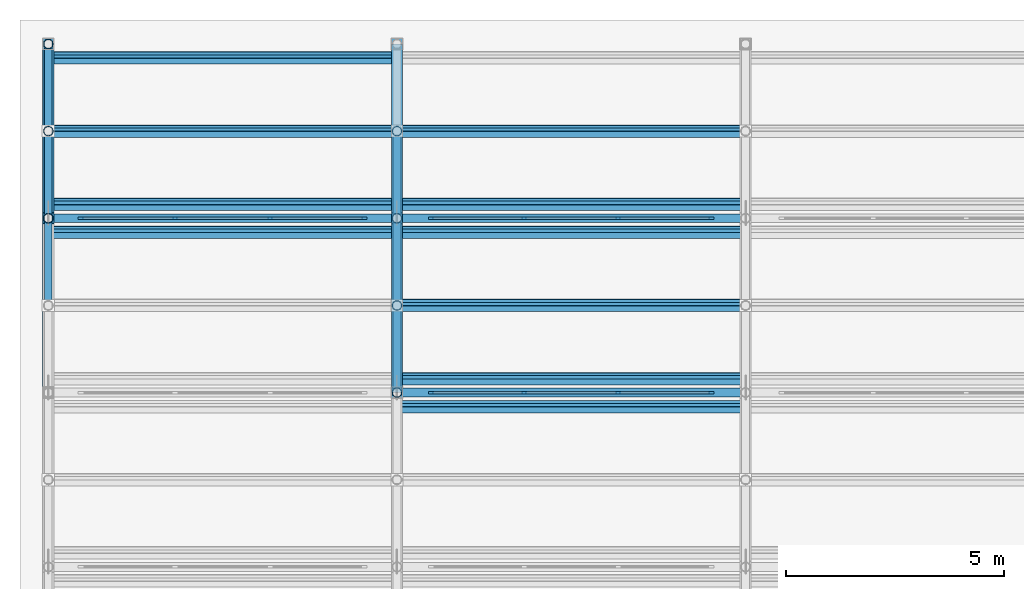
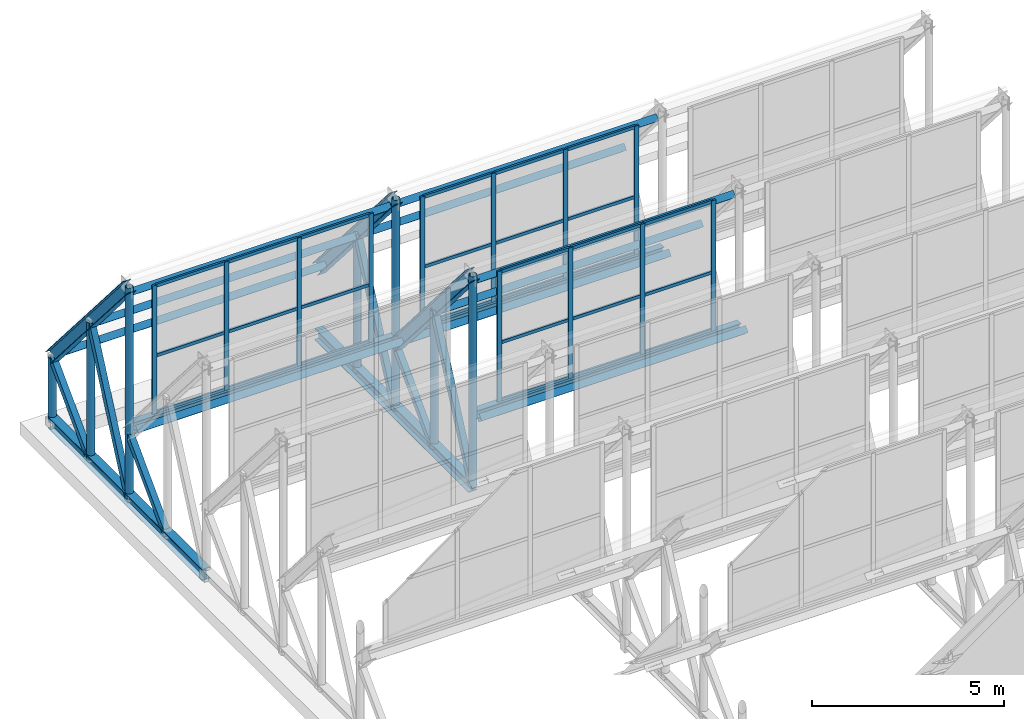
# One storey, part 26 of 43: 65 members, 5 beams, 3 elements without a shape of their own.
"""IFC4 building model written with IfcOpenShell, lengths in metres."""

from ifc_helpers import new_model, si_unit, direction, frame, origin, origin_2d, place, context, subcontext, project, spatial, rectangle, hollow_rectangle, hollow_circle, i_section, extrude, material, layer, layer_set, material_profile, profile_set, type_object, element, aggregate, save


model = new_model("IFC4")

# Units and contexts
model_context = context("Model", 3, precision=1e-05, world=origin(), true_north=direction((0.0, 1.0)))
body_context = subcontext(model_context, "Body", "Model", "MODEL_VIEW")
ifc_project = project(units=[si_unit("LENGTHUNIT", "METRE"), si_unit("AREAUNIT", "SQUARE_METRE"), si_unit("VOLUMEUNIT", "CUBIC_METRE"), si_unit("PLANEANGLEUNIT", "RADIAN"), si_unit("MASSUNIT", "GRAM", prefix="KILO")], contexts=[model_context])

# Site, building, storey
site_placement = place(None, origin())
site = spatial("IfcSite", under=ifc_project, at=site_placement, CompositionType="ELEMENT")
building_placement = place(site_placement, origin())
building = spatial("IfcBuilding", under=site, at=building_placement, Name="Qorikala Patio Media Centre", CompositionType="ELEMENT")
storey_placement = place(building_placement, frame((0.0, 0.0, 18.89990234375)))
storey = spatial("IfcBuildingStorey", under=building, at=storey_placement, Name="L04", CompositionType="ELEMENT", Elevation=18.89990234375)

# Members
ifc_material_1 = material(Name="Steel S355", Category="steel")
ifc_material_profile_1 = material_profile(ifc_material_1, hollow_rectangle(XDim=0.179931640625, YDim=0.179931640625, WallThickness=0.008056640625, at=origin_2d()), Name="HSS180X180X8")
ifc_profile_set_1 = profile_set([ifc_material_profile_1], Name="Steel S355")
member_type_1 = type_object("IfcMemberType", Name="BRACE-HSS180", PredefinedType="BRACE", material=ifc_profile_set_1)
member_1_placement = place(storey_placement, frame((3.0, 90.0, 0.35009765625), z_axis=(0.0, 0.698315330267, 0.715790262238), x_axis=(-1.0, 0.0, 0.0)))
element("IfcMember", 1, at=member_1_placement, inside=storey, type_object=member_type_1, Name="SAW-V4 Truss 1 Bay 5 Web Diagonal 2", PredefinedType="BRACE", context=body_context, shape_type="SweptSolid", body=[
    extrude(hollow_rectangle(XDim=0.179931640625, YDim=0.179931640625, WallThickness=0.008056640625, at=origin_2d()), origin(), (0.0, 0.0, 1.0), 2.864013671875),
])
member_2_placement = place(storey_placement, frame((3.0, 92.0, 0.35009765625), z_axis=(0.0, 0.415759760268, 0.909474475586), x_axis=(-1.0, 0.0, 0.0)))
element("IfcMember", 2, at=member_2_placement, inside=storey, type_object=member_type_1, Name="SAW-V4 Truss 1 Bay 6 Web Diagonal 1", PredefinedType="BRACE", context=body_context, shape_type="SweptSolid", body=[
    extrude(hollow_rectangle(XDim=0.179931640625, YDim=0.179931640625, WallThickness=0.008056640625, at=origin_2d()), origin(), (0.0, 0.0, 1.0), 4.810546875),
])
member_3_placement = place(storey_placement, frame((3.0, 94.0, 0.35009765625), z_axis=(0.0, 0.698315330267, 0.715790262238), x_axis=(-1.0, 0.0, 0.0)))
element("IfcMember", 3, at=member_3_placement, inside=storey, type_object=member_type_1, Name="SAW-V4 Truss 1 Bay 6 Web Diagonal 2", PredefinedType="BRACE", context=body_context, shape_type="SweptSolid", body=[
    extrude(hollow_rectangle(XDim=0.179931640625, YDim=0.179931640625, WallThickness=0.008056640625, at=origin_2d()), origin(), (0.0, 0.0, 1.0), 2.864013671875),
])
member_4_placement = place(storey_placement, frame((11.0, 88.0, 0.35009765625), z_axis=(0.0, 0.415759760268, 0.909474475586), x_axis=(-1.0, 0.0, 0.0)))
element("IfcMember", 4, at=member_4_placement, inside=storey, type_object=member_type_1, Name="SAW-V4 Truss 2 Bay 5 Web Diagonal 1", PredefinedType="BRACE", context=body_context, shape_type="SweptSolid", body=[
    extrude(hollow_rectangle(XDim=0.179931640625, YDim=0.179931640625, WallThickness=0.008056640625, at=origin_2d()), origin(), (0.0, 0.0, 1.0), 4.810546875),
])
member_5_placement = place(storey_placement, frame((11.0, 90.0, 0.35009765625), z_axis=(0.0, 0.698315330267, 0.715790262238), x_axis=(-1.0, 0.0, 0.0)))
element("IfcMember", 5, at=member_5_placement, inside=storey, type_object=member_type_1, Name="SAW-V4 Truss 2 Bay 5 Web Diagonal 2", PredefinedType="BRACE", context=body_context, shape_type="SweptSolid", body=[
    extrude(hollow_rectangle(XDim=0.179931640625, YDim=0.179931640625, WallThickness=0.008056640625, at=origin_2d()), origin(), (0.0, 0.0, 1.0), 2.864013671875),
])
member_6_placement = place(storey_placement, frame((11.0, 92.0, 0.35009765625), z_axis=(0.0, 0.415759760268, 0.909474475586), x_axis=(-1.0, 0.0, 0.0)))
element("IfcMember", 6, at=member_6_placement, inside=storey, type_object=member_type_1, Name="SAW-V4 Truss 2 Bay 6 Web Diagonal 1", PredefinedType="BRACE", context=body_context, shape_type="SweptSolid", body=[
    extrude(hollow_rectangle(XDim=0.179931640625, YDim=0.179931640625, WallThickness=0.008056640625, at=origin_2d()), origin(), (0.0, 0.0, 1.0), 4.810546875),
])
ifc_material_profile_2 = material_profile(ifc_material_1, i_section(OverallWidth=0.25390625, OverallDepth=0.35302734375, WebThickness=0.009521484375, FlangeThickness=0.016357421875, at=origin_2d()), Name="W360X91")
ifc_profile_set_2 = profile_set([ifc_material_profile_2], Name="Steel S355")
member_type_2 = type_object("IfcMemberType", Name="CHORD-W360X91", PredefinedType="CHORD", material=ifc_profile_set_2)
for number, where, z_axis, x_axis, name in (
    (7, (3.0, 92.0, 7.050048828125), (0.0, 0.652140853929, -0.758097821285), (-1.0, 0.0, 0.0), "SAW-V4 Truss 1 Bay 6 Sloped Top Chord"),
    (8, (11.0, 88.0, 7.050048828125), (0.0, 0.652140853929, -0.758097821285), (-1.0, 0.0, 0.0), "SAW-V4 Truss 2 Bay 5 Sloped Top Chord"),
    (9, (11.0, 92.0, 7.050048828125), (0.0, 0.652140853929, -0.758097821285), (-1.0, 0.0, 0.0), "SAW-V4 Truss 2 Bay 6 Sloped Top Chord"),
):
    element("IfcMember", number, at=place(storey_placement, frame(where, z_axis=z_axis, x_axis=x_axis)), inside=storey, type_object=member_type_2, Name=name, PredefinedType="CHORD", context=body_context, shape_type="SweptSolid", body=[
        extrude(i_section(OverallWidth=0.25390625, OverallDepth=0.35302734375, WebThickness=0.009521484375, FlangeThickness=0.016357421875, at=origin_2d()), origin(), (0.0, 0.0, 1.0), 6.133544921875),
    ])

# Curtain wall, members
ifc_material_2 = material(Name="Bronze Anodised Aluminium and Low-E Glass", Category="aluminium")
ifc_layer_1 = layer(ifc_material_2, 0.159912109375)
ifc_layer_set_1 = layer_set([ifc_layer_1], Name="Bronze Anodised Aluminium and Low-E Glass")
curtain_wall_type_1 = type_object("IfcCurtainWallType", Name="CW-SAW-648X414", PredefinedType="USERDEFINED", material=ifc_layer_set_1)
curtain_wall_1_placement = place(storey_placement, origin())
curtain_wall_1 = element("IfcCurtainWall", 10, at=curtain_wall_1_placement, inside=storey, type_object=curtain_wall_type_1, Name="L04 Sawtooth Glazing 155", ObjectType="SAWTOOTH GLAZING", PredefinedType="USERDEFINED")
ifc_material_3 = material(Name="Bronze Anodised Aluminium", Category="aluminium")
ifc_material_profile_3 = material_profile(ifc_material_3, rectangle(XDim=0.06005859375, YDim=0.1298828125, at=origin_2d()), Name="ALU MULLION 60x130")
ifc_profile_set_3 = profile_set([ifc_material_profile_3], Name="Bronze Anodised Aluminium")
member_type_3 = type_object("IfcMemberType", Name="CWM-60X130", PredefinedType="MULLION", material=ifc_profile_set_3)
member_7_placement = place(storey_placement, frame((11.7900390625, 88.0, 2.75), z_axis=(0.0, 0.0, 1.0), x_axis=(0.0, 1.0, 0.0)))
member_7 = element("IfcMember", 11, at=member_7_placement, type_object=member_type_3, Name="CWS648414 mullion 1", PredefinedType="MULLION", context=body_context, shape_type="SweptSolid", body=[
    extrude(rectangle(XDim=0.06005859375, YDim=0.1298828125, at=origin_2d()), origin(), (0.0, 0.0, 1.0), 4.14013671875),
])
member_8_placement = place(storey_placement, frame((13.919921875, 88.0, 2.75), z_axis=(0.0, 0.0, 1.0), x_axis=(0.0, 1.0, 0.0)))
member_8 = element("IfcMember", 12, at=member_8_placement, type_object=member_type_3, Name="CWS648414 mullion 2", PredefinedType="MULLION", context=body_context, shape_type="SweptSolid", body=[
    extrude(rectangle(XDim=0.06005859375, YDim=0.1298828125, at=origin_2d()), origin(), (0.0, 0.0, 1.0), 4.14013671875),
])
member_9_placement = place(storey_placement, frame((16.080078125, 88.0, 2.75), z_axis=(0.0, 0.0, 1.0), x_axis=(0.0, 1.0, 0.0)))
member_9 = element("IfcMember", 13, at=member_9_placement, type_object=member_type_3, Name="CWS648414 mullion 3", PredefinedType="MULLION", context=body_context, shape_type="SweptSolid", body=[
    extrude(rectangle(XDim=0.06005859375, YDim=0.1298828125, at=origin_2d()), origin(), (0.0, 0.0, 1.0), 4.14013671875),
])
member_10_placement = place(storey_placement, frame((18.2099609375, 88.0, 2.75), z_axis=(0.0, 0.0, 1.0), x_axis=(0.0, 1.0, 0.0)))
member_10 = element("IfcMember", 14, at=member_10_placement, type_object=member_type_3, Name="CWS648414 mullion 4", PredefinedType="MULLION", context=body_context, shape_type="SweptSolid", body=[
    extrude(rectangle(XDim=0.06005859375, YDim=0.1298828125, at=origin_2d()), origin(), (0.0, 0.0, 1.0), 4.14013671875),
])

ifc_layer_2 = layer(ifc_material_2, 0.159912109375)
ifc_layer_set_2 = layer_set([ifc_layer_2], Name="Bronze Anodised Aluminium and Low-E Glass")
curtain_wall_type_2 = type_object("IfcCurtainWallType", Name="CW-SAW-656X408", PredefinedType="USERDEFINED", material=ifc_layer_set_2)
curtain_wall_2_placement = place(storey_placement, origin())
curtain_wall_2 = element("IfcCurtainWall", 15, at=curtain_wall_2_placement, inside=storey, type_object=curtain_wall_type_2, Name="L04 Sawtooth Glazing 157", ObjectType="SAWTOOTH GLAZING", PredefinedType="USERDEFINED")
member_11_placement = place(storey_placement, frame((3.75, 92.0, 2.75), z_axis=(0.0, 0.0, 1.0), x_axis=(0.0, 1.0, 0.0)))
member_11 = element("IfcMember", 16, at=member_11_placement, type_object=member_type_3, Name="CWS656408 mullion 1", PredefinedType="MULLION", context=body_context, shape_type="SweptSolid", body=[
    extrude(rectangle(XDim=0.06005859375, YDim=0.1298828125, at=origin_2d()), origin(), (0.0, 0.0, 1.0), 4.080078125),
])
member_12_placement = place(storey_placement, frame((5.90673828125, 92.0, 2.75), z_axis=(0.0, 0.0, 1.0), x_axis=(0.0, 1.0, 0.0)))
member_12 = element("IfcMember", 17, at=member_12_placement, type_object=member_type_3, Name="CWS656408 mullion 2", PredefinedType="MULLION", context=body_context, shape_type="SweptSolid", body=[
    extrude(rectangle(XDim=0.06005859375, YDim=0.1298828125, at=origin_2d()), origin(), (0.0, 0.0, 1.0), 4.080078125),
])
member_13_placement = place(storey_placement, frame((8.09326171875, 92.0, 2.75), z_axis=(0.0, 0.0, 1.0), x_axis=(0.0, 1.0, 0.0)))
member_13 = element("IfcMember", 18, at=member_13_placement, type_object=member_type_3, Name="CWS656408 mullion 3", PredefinedType="MULLION", context=body_context, shape_type="SweptSolid", body=[
    extrude(rectangle(XDim=0.06005859375, YDim=0.1298828125, at=origin_2d()), origin(), (0.0, 0.0, 1.0), 4.080078125),
])
member_14_placement = place(storey_placement, frame((10.25, 92.0, 2.75), z_axis=(0.0, 0.0, 1.0), x_axis=(0.0, 1.0, 0.0)))
member_14 = element("IfcMember", 19, at=member_14_placement, type_object=member_type_3, Name="CWS656408 mullion 4", PredefinedType="MULLION", context=body_context, shape_type="SweptSolid", body=[
    extrude(rectangle(XDim=0.06005859375, YDim=0.1298828125, at=origin_2d()), origin(), (0.0, 0.0, 1.0), 4.080078125),
])

ifc_layer_3 = layer(ifc_material_2, 0.159912109375)
ifc_layer_set_3 = layer_set([ifc_layer_3], Name="Bronze Anodised Aluminium and Low-E Glass")
curtain_wall_type_3 = type_object("IfcCurtainWallType", Name="CW-SAW-648X408", PredefinedType="USERDEFINED", material=ifc_layer_set_3)
curtain_wall_3_placement = place(storey_placement, origin())
curtain_wall_3 = element("IfcCurtainWall", 20, at=curtain_wall_3_placement, inside=storey, type_object=curtain_wall_type_3, Name="L04 Sawtooth Glazing 158", ObjectType="SAWTOOTH GLAZING", PredefinedType="USERDEFINED")
member_15_placement = place(storey_placement, frame((11.7900390625, 92.0, 2.75), z_axis=(0.0, 0.0, 1.0), x_axis=(0.0, 1.0, 0.0)))
member_15 = element("IfcMember", 21, at=member_15_placement, type_object=member_type_3, Name="CWS648408 mullion 1", PredefinedType="MULLION", context=body_context, shape_type="SweptSolid", body=[
    extrude(rectangle(XDim=0.06005859375, YDim=0.1298828125, at=origin_2d()), origin(), (0.0, 0.0, 1.0), 4.080078125),
])
member_16_placement = place(storey_placement, frame((13.919921875, 92.0, 2.75), z_axis=(0.0, 0.0, 1.0), x_axis=(0.0, 1.0, 0.0)))
member_16 = element("IfcMember", 22, at=member_16_placement, type_object=member_type_3, Name="CWS648408 mullion 2", PredefinedType="MULLION", context=body_context, shape_type="SweptSolid", body=[
    extrude(rectangle(XDim=0.06005859375, YDim=0.1298828125, at=origin_2d()), origin(), (0.0, 0.0, 1.0), 4.080078125),
])
member_17_placement = place(storey_placement, frame((16.080078125, 92.0, 2.75), z_axis=(0.0, 0.0, 1.0), x_axis=(0.0, 1.0, 0.0)))
member_17 = element("IfcMember", 23, at=member_17_placement, type_object=member_type_3, Name="CWS648408 mullion 3", PredefinedType="MULLION", context=body_context, shape_type="SweptSolid", body=[
    extrude(rectangle(XDim=0.06005859375, YDim=0.1298828125, at=origin_2d()), origin(), (0.0, 0.0, 1.0), 4.080078125),
])
member_18_placement = place(storey_placement, frame((18.2099609375, 92.0, 2.75), z_axis=(0.0, 0.0, 1.0), x_axis=(0.0, 1.0, 0.0)))
member_18 = element("IfcMember", 24, at=member_18_placement, type_object=member_type_3, Name="CWS648408 mullion 4", PredefinedType="MULLION", context=body_context, shape_type="SweptSolid", body=[
    extrude(rectangle(XDim=0.06005859375, YDim=0.1298828125, at=origin_2d()), origin(), (0.0, 0.0, 1.0), 4.080078125),
])

# Member
ifc_material_profile_4 = material_profile(ifc_material_3, rectangle(XDim=0.06005859375, YDim=0.10009765625, at=origin_2d()), Name="ALU TRANSOM 60x100")
ifc_profile_set_4 = profile_set([ifc_material_profile_4], Name="Bronze Anodised Aluminium")
member_type_4 = type_object("IfcMemberType", Name="CWT-60X100", PredefinedType="USERDEFINED", material=ifc_profile_set_4)
member_19_placement = place(storey_placement, frame((11.820068359375, 88.0, 2.780029296875), z_axis=(1.0, 0.0, 0.0), x_axis=(0.0, 1.0, 0.0)))
member_19 = element("IfcMember", 25, at=member_19_placement, type_object=member_type_4, Name="CWS648414 transom 1.1", ObjectType="TRANSOM", PredefinedType="USERDEFINED", context=body_context, shape_type="SweptSolid", body=[
    extrude(rectangle(XDim=0.06005859375, YDim=0.10009765625, at=origin_2d()), origin(), (0.0, 0.0, 1.0), 2.06982421875),
])

member_20_placement = place(storey_placement, frame((11.820068359375, 88.0, 4.613037109375), z_axis=(1.0, 0.0, 0.0), x_axis=(0.0, 1.0, 0.0)))
member_20 = element("IfcMember", 26, at=member_20_placement, type_object=member_type_4, Name="CWS648414 transom 1.2", ObjectType="TRANSOM", PredefinedType="USERDEFINED", context=body_context, shape_type="SweptSolid", body=[
    extrude(rectangle(XDim=0.06005859375, YDim=0.10009765625, at=origin_2d()), origin(), (0.0, 0.0, 1.0), 2.06982421875),
])

member_21_placement = place(storey_placement, frame((11.820068359375, 88.0, 6.860107421875), z_axis=(1.0, 0.0, 0.0), x_axis=(0.0, 1.0, 0.0)))
member_21 = element("IfcMember", 27, at=member_21_placement, type_object=member_type_4, Name="CWS648414 transom 1.3", ObjectType="TRANSOM", PredefinedType="USERDEFINED", context=body_context, shape_type="SweptSolid", body=[
    extrude(rectangle(XDim=0.06005859375, YDim=0.10009765625, at=origin_2d()), origin(), (0.0, 0.0, 1.0), 2.06982421875),
])

member_22_placement = place(storey_placement, frame((13.949951171875, 88.0, 2.780029296875), z_axis=(1.0, 0.0, 0.0), x_axis=(0.0, 1.0, 0.0)))
member_22 = element("IfcMember", 28, at=member_22_placement, type_object=member_type_4, Name="CWS648414 transom 2.1", ObjectType="TRANSOM", PredefinedType="USERDEFINED", context=body_context, shape_type="SweptSolid", body=[
    extrude(rectangle(XDim=0.06005859375, YDim=0.10009765625, at=origin_2d()), origin(), (0.0, 0.0, 1.0), 2.10009765625),
])

member_23_placement = place(storey_placement, frame((13.949951171875, 88.0, 4.613037109375), z_axis=(1.0, 0.0, 0.0), x_axis=(0.0, 1.0, 0.0)))
member_23 = element("IfcMember", 29, at=member_23_placement, type_object=member_type_4, Name="CWS648414 transom 2.2", ObjectType="TRANSOM", PredefinedType="USERDEFINED", context=body_context, shape_type="SweptSolid", body=[
    extrude(rectangle(XDim=0.06005859375, YDim=0.10009765625, at=origin_2d()), origin(), (0.0, 0.0, 1.0), 2.10009765625),
])

member_24_placement = place(storey_placement, frame((13.949951171875, 88.0, 6.860107421875), z_axis=(1.0, 0.0, 0.0), x_axis=(0.0, 1.0, 0.0)))
member_24 = element("IfcMember", 30, at=member_24_placement, type_object=member_type_4, Name="CWS648414 transom 2.3", ObjectType="TRANSOM", PredefinedType="USERDEFINED", context=body_context, shape_type="SweptSolid", body=[
    extrude(rectangle(XDim=0.06005859375, YDim=0.10009765625, at=origin_2d()), origin(), (0.0, 0.0, 1.0), 2.10009765625),
])

member_25_placement = place(storey_placement, frame((16.110107421875, 88.0, 2.780029296875), z_axis=(1.0, 0.0, 0.0), x_axis=(0.0, 1.0, 0.0)))
member_25 = element("IfcMember", 31, at=member_25_placement, type_object=member_type_4, Name="CWS648414 transom 3.1", ObjectType="TRANSOM", PredefinedType="USERDEFINED", context=body_context, shape_type="SweptSolid", body=[
    extrude(rectangle(XDim=0.06005859375, YDim=0.10009765625, at=origin_2d()), origin(), (0.0, 0.0, 1.0), 2.06982421875),
])

member_26_placement = place(storey_placement, frame((16.110107421875, 88.0, 4.613037109375), z_axis=(1.0, 0.0, 0.0), x_axis=(0.0, 1.0, 0.0)))
member_26 = element("IfcMember", 32, at=member_26_placement, type_object=member_type_4, Name="CWS648414 transom 3.2", ObjectType="TRANSOM", PredefinedType="USERDEFINED", context=body_context, shape_type="SweptSolid", body=[
    extrude(rectangle(XDim=0.06005859375, YDim=0.10009765625, at=origin_2d()), origin(), (0.0, 0.0, 1.0), 2.06982421875),
])

member_27_placement = place(storey_placement, frame((16.110107421875, 88.0, 6.860107421875), z_axis=(1.0, 0.0, 0.0), x_axis=(0.0, 1.0, 0.0)))
member_27 = element("IfcMember", 33, at=member_27_placement, type_object=member_type_4, Name="CWS648414 transom 3.3", ObjectType="TRANSOM", PredefinedType="USERDEFINED", context=body_context, shape_type="SweptSolid", body=[
    extrude(rectangle(XDim=0.06005859375, YDim=0.10009765625, at=origin_2d()), origin(), (0.0, 0.0, 1.0), 2.06982421875),
])

aggregate(curtain_wall_1, [member_7, member_8, member_9, member_10, member_19, member_20, member_21, member_22, member_23, member_24, member_25, member_26, member_27])

member_28_placement = place(storey_placement, frame((3.780029296875, 92.0, 2.780029296875), z_axis=(1.0, 0.0, 0.0), x_axis=(0.0, 1.0, 0.0)))
member_28 = element("IfcMember", 34, at=member_28_placement, type_object=member_type_4, Name="CWS656408 transom 1.1", ObjectType="TRANSOM", PredefinedType="USERDEFINED", context=body_context, shape_type="SweptSolid", body=[
    extrude(rectangle(XDim=0.06005859375, YDim=0.10009765625, at=origin_2d()), origin(), (0.0, 0.0, 1.0), 2.0966796875),
])

member_29_placement = place(storey_placement, frame((3.780029296875, 92.0, 4.586181640625), z_axis=(1.0, 0.0, 0.0), x_axis=(0.0, 1.0, 0.0)))
member_29 = element("IfcMember", 35, at=member_29_placement, type_object=member_type_4, Name="CWS656408 transom 1.2", ObjectType="TRANSOM", PredefinedType="USERDEFINED", context=body_context, shape_type="SweptSolid", body=[
    extrude(rectangle(XDim=0.06005859375, YDim=0.10009765625, at=origin_2d()), origin(), (0.0, 0.0, 1.0), 2.0966796875),
])

member_30_placement = place(storey_placement, frame((3.780029296875, 92.0, 6.800048828125), z_axis=(1.0, 0.0, 0.0), x_axis=(0.0, 1.0, 0.0)))
member_30 = element("IfcMember", 36, at=member_30_placement, type_object=member_type_4, Name="CWS656408 transom 1.3", ObjectType="TRANSOM", PredefinedType="USERDEFINED", context=body_context, shape_type="SweptSolid", body=[
    extrude(rectangle(XDim=0.06005859375, YDim=0.10009765625, at=origin_2d()), origin(), (0.0, 0.0, 1.0), 2.0966796875),
])

member_31_placement = place(storey_placement, frame((5.936767578125, 92.0, 2.780029296875), z_axis=(1.0, 0.0, 0.0), x_axis=(0.0, 1.0, 0.0)))
member_31 = element("IfcMember", 37, at=member_31_placement, type_object=member_type_4, Name="CWS656408 transom 2.1", ObjectType="TRANSOM", PredefinedType="USERDEFINED", context=body_context, shape_type="SweptSolid", body=[
    extrude(rectangle(XDim=0.06005859375, YDim=0.10009765625, at=origin_2d()), origin(), (0.0, 0.0, 1.0), 2.12646484375),
])

member_32_placement = place(storey_placement, frame((5.936767578125, 92.0, 4.586181640625), z_axis=(1.0, 0.0, 0.0), x_axis=(0.0, 1.0, 0.0)))
member_32 = element("IfcMember", 38, at=member_32_placement, type_object=member_type_4, Name="CWS656408 transom 2.2", ObjectType="TRANSOM", PredefinedType="USERDEFINED", context=body_context, shape_type="SweptSolid", body=[
    extrude(rectangle(XDim=0.06005859375, YDim=0.10009765625, at=origin_2d()), origin(), (0.0, 0.0, 1.0), 2.12646484375),
])

member_33_placement = place(storey_placement, frame((5.936767578125, 92.0, 6.800048828125), z_axis=(1.0, 0.0, 0.0), x_axis=(0.0, 1.0, 0.0)))
member_33 = element("IfcMember", 39, at=member_33_placement, type_object=member_type_4, Name="CWS656408 transom 2.3", ObjectType="TRANSOM", PredefinedType="USERDEFINED", context=body_context, shape_type="SweptSolid", body=[
    extrude(rectangle(XDim=0.06005859375, YDim=0.10009765625, at=origin_2d()), origin(), (0.0, 0.0, 1.0), 2.12646484375),
])

member_34_placement = place(storey_placement, frame((8.123291015625, 92.0, 2.780029296875), z_axis=(1.0, 0.0, 0.0), x_axis=(0.0, 1.0, 0.0)))
member_34 = element("IfcMember", 40, at=member_34_placement, type_object=member_type_4, Name="CWS656408 transom 3.1", ObjectType="TRANSOM", PredefinedType="USERDEFINED", context=body_context, shape_type="SweptSolid", body=[
    extrude(rectangle(XDim=0.06005859375, YDim=0.10009765625, at=origin_2d()), origin(), (0.0, 0.0, 1.0), 2.0966796875),
])

member_35_placement = place(storey_placement, frame((8.123291015625, 92.0, 4.586181640625), z_axis=(1.0, 0.0, 0.0), x_axis=(0.0, 1.0, 0.0)))
member_35 = element("IfcMember", 41, at=member_35_placement, type_object=member_type_4, Name="CWS656408 transom 3.2", ObjectType="TRANSOM", PredefinedType="USERDEFINED", context=body_context, shape_type="SweptSolid", body=[
    extrude(rectangle(XDim=0.06005859375, YDim=0.10009765625, at=origin_2d()), origin(), (0.0, 0.0, 1.0), 2.0966796875),
])

member_36_placement = place(storey_placement, frame((8.123291015625, 92.0, 6.800048828125), z_axis=(1.0, 0.0, 0.0), x_axis=(0.0, 1.0, 0.0)))
member_36 = element("IfcMember", 42, at=member_36_placement, type_object=member_type_4, Name="CWS656408 transom 3.3", ObjectType="TRANSOM", PredefinedType="USERDEFINED", context=body_context, shape_type="SweptSolid", body=[
    extrude(rectangle(XDim=0.06005859375, YDim=0.10009765625, at=origin_2d()), origin(), (0.0, 0.0, 1.0), 2.0966796875),
])

aggregate(curtain_wall_2, [member_11, member_12, member_13, member_14, member_28, member_29, member_30, member_31, member_32, member_33, member_34, member_35, member_36])

member_37_placement = place(storey_placement, frame((11.820068359375, 92.0, 2.780029296875), z_axis=(1.0, 0.0, 0.0), x_axis=(0.0, 1.0, 0.0)))
member_37 = element("IfcMember", 43, at=member_37_placement, type_object=member_type_4, Name="CWS648408 transom 1.1", ObjectType="TRANSOM", PredefinedType="USERDEFINED", context=body_context, shape_type="SweptSolid", body=[
    extrude(rectangle(XDim=0.06005859375, YDim=0.10009765625, at=origin_2d()), origin(), (0.0, 0.0, 1.0), 2.06982421875),
])

member_38_placement = place(storey_placement, frame((11.820068359375, 92.0, 4.586181640625), z_axis=(1.0, 0.0, 0.0), x_axis=(0.0, 1.0, 0.0)))
member_38 = element("IfcMember", 44, at=member_38_placement, type_object=member_type_4, Name="CWS648408 transom 1.2", ObjectType="TRANSOM", PredefinedType="USERDEFINED", context=body_context, shape_type="SweptSolid", body=[
    extrude(rectangle(XDim=0.06005859375, YDim=0.10009765625, at=origin_2d()), origin(), (0.0, 0.0, 1.0), 2.06982421875),
])

member_39_placement = place(storey_placement, frame((11.820068359375, 92.0, 6.800048828125), z_axis=(1.0, 0.0, 0.0), x_axis=(0.0, 1.0, 0.0)))
member_39 = element("IfcMember", 45, at=member_39_placement, type_object=member_type_4, Name="CWS648408 transom 1.3", ObjectType="TRANSOM", PredefinedType="USERDEFINED", context=body_context, shape_type="SweptSolid", body=[
    extrude(rectangle(XDim=0.06005859375, YDim=0.10009765625, at=origin_2d()), origin(), (0.0, 0.0, 1.0), 2.06982421875),
])

member_40_placement = place(storey_placement, frame((13.949951171875, 92.0, 2.780029296875), z_axis=(1.0, 0.0, 0.0), x_axis=(0.0, 1.0, 0.0)))
member_40 = element("IfcMember", 46, at=member_40_placement, type_object=member_type_4, Name="CWS648408 transom 2.1", ObjectType="TRANSOM", PredefinedType="USERDEFINED", context=body_context, shape_type="SweptSolid", body=[
    extrude(rectangle(XDim=0.06005859375, YDim=0.10009765625, at=origin_2d()), origin(), (0.0, 0.0, 1.0), 2.10009765625),
])

member_41_placement = place(storey_placement, frame((13.949951171875, 92.0, 4.586181640625), z_axis=(1.0, 0.0, 0.0), x_axis=(0.0, 1.0, 0.0)))
member_41 = element("IfcMember", 47, at=member_41_placement, type_object=member_type_4, Name="CWS648408 transom 2.2", ObjectType="TRANSOM", PredefinedType="USERDEFINED", context=body_context, shape_type="SweptSolid", body=[
    extrude(rectangle(XDim=0.06005859375, YDim=0.10009765625, at=origin_2d()), origin(), (0.0, 0.0, 1.0), 2.10009765625),
])

member_42_placement = place(storey_placement, frame((13.949951171875, 92.0, 6.800048828125), z_axis=(1.0, 0.0, 0.0), x_axis=(0.0, 1.0, 0.0)))
member_42 = element("IfcMember", 48, at=member_42_placement, type_object=member_type_4, Name="CWS648408 transom 2.3", ObjectType="TRANSOM", PredefinedType="USERDEFINED", context=body_context, shape_type="SweptSolid", body=[
    extrude(rectangle(XDim=0.06005859375, YDim=0.10009765625, at=origin_2d()), origin(), (0.0, 0.0, 1.0), 2.10009765625),
])

member_43_placement = place(storey_placement, frame((16.110107421875, 92.0, 2.780029296875), z_axis=(1.0, 0.0, 0.0), x_axis=(0.0, 1.0, 0.0)))
member_43 = element("IfcMember", 49, at=member_43_placement, type_object=member_type_4, Name="CWS648408 transom 3.1", ObjectType="TRANSOM", PredefinedType="USERDEFINED", context=body_context, shape_type="SweptSolid", body=[
    extrude(rectangle(XDim=0.06005859375, YDim=0.10009765625, at=origin_2d()), origin(), (0.0, 0.0, 1.0), 2.06982421875),
])

member_44_placement = place(storey_placement, frame((16.110107421875, 92.0, 4.586181640625), z_axis=(1.0, 0.0, 0.0), x_axis=(0.0, 1.0, 0.0)))
member_44 = element("IfcMember", 50, at=member_44_placement, type_object=member_type_4, Name="CWS648408 transom 3.2", ObjectType="TRANSOM", PredefinedType="USERDEFINED", context=body_context, shape_type="SweptSolid", body=[
    extrude(rectangle(XDim=0.06005859375, YDim=0.10009765625, at=origin_2d()), origin(), (0.0, 0.0, 1.0), 2.06982421875),
])

member_45_placement = place(storey_placement, frame((16.110107421875, 92.0, 6.800048828125), z_axis=(1.0, 0.0, 0.0), x_axis=(0.0, 1.0, 0.0)))
member_45 = element("IfcMember", 51, at=member_45_placement, type_object=member_type_4, Name="CWS648408 transom 3.3", ObjectType="TRANSOM", PredefinedType="USERDEFINED", context=body_context, shape_type="SweptSolid", body=[
    extrude(rectangle(XDim=0.06005859375, YDim=0.10009765625, at=origin_2d()), origin(), (0.0, 0.0, 1.0), 2.06982421875),
])

aggregate(curtain_wall_3, [member_15, member_16, member_17, member_18, member_37, member_38, member_39, member_40, member_41, member_42, member_43, member_44, member_45])

# Members
ifc_material_profile_5 = material_profile(ifc_material_1, i_section(OverallWidth=0.202880859375, OverallDepth=0.202880859375, WebThickness=0.007080078125, FlangeThickness=0.010986328125, at=origin_2d()), Name="W200X46")
ifc_profile_set_5 = profile_set([ifc_material_profile_5], Name="Steel S355")
member_type_5 = type_object("IfcMemberType", Name="PURLIN-W200X46", PredefinedType="PURLIN", material=ifc_profile_set_5)
for number, where, z_axis, x_axis, name in (
    (52, (11.0, 87.679931640625, 2.6904296875), (1.0, 0.0, 0.0), (0.0, 0.652138098758, 0.758100191366), "SAW-V4 Bay 4 Roof Purlin"),
    (53, (11.0, 88.320068359375, 6.596435546875), (1.0, 0.0, 0.0), (0.0, 0.652138098758, 0.758100191366), "SAW-V4 Bay 5 Roof Purlin"),
    (54, (11.0, 90.0, 4.643310546875), (1.0, 0.0, 0.0), (0.0, 0.652138098758, 0.758100191366), "SAW-V4 Bay 5 Roof Purlin"),
    (55, (3.0, 91.679931640625, 2.6904296875), (1.0, 0.0, 0.0), (0.0, 0.652138098758, 0.758100191366), "SAW-V4 Bay 5 Roof Purlin"),
    (56, (11.0, 91.679931640625, 2.6904296875), (1.0, 0.0, 0.0), (0.0, 0.652138098758, 0.758100191366), "SAW-V4 Bay 5 Roof Purlin"),
    (57, (3.0, 92.320068359375, 6.596435546875), (1.0, 0.0, 0.0), (0.0, 0.652138098758, 0.758100191366), "SAW-V4 Bay 6 Roof Purlin"),
    (58, (11.0, 92.320068359375, 6.596435546875), (1.0, 0.0, 0.0), (0.0, 0.652138098758, 0.758100191366), "SAW-V4 Bay 6 Roof Purlin"),
    (59, (3.0, 94.0, 4.643310546875), (1.0, 0.0, 0.0), (0.0, 0.652138098758, 0.758100191366), "SAW-V4 Bay 6 Roof Purlin"),
    (60, (11.0, 94.0, 4.643310546875), (1.0, 0.0, 0.0), (0.0, 0.652138098758, 0.758100191366), "SAW-V4 Bay 6 Roof Purlin"),
    (61, (3.0, 95.679931640625, 2.6904296875), (1.0, 0.0, 0.0), (0.0, 0.652138098758, 0.758100191366), "SAW-V4 Bay 6 Roof Purlin"),
):
    element("IfcMember", number, at=place(storey_placement, frame(where, z_axis=z_axis, x_axis=x_axis)), inside=storey, type_object=member_type_5, Name=name, PredefinedType="PURLIN", context=body_context, shape_type="SweptSolid", body=[
        extrude(i_section(OverallWidth=0.202880859375, OverallDepth=0.202880859375, WebThickness=0.007080078125, FlangeThickness=0.010986328125, at=origin_2d()), origin(), (0.0, 0.0, 1.0), 8.0),
    ])

# Beams
ifc_material_profile_6 = material_profile(ifc_material_1, i_section(OverallWidth=0.202880859375, OverallDepth=0.251953125, WebThickness=0.008056640625, FlangeThickness=0.013427734375, at=origin_2d()), Name="W250X58")
ifc_profile_set_6 = profile_set([ifc_material_profile_6], Name="Steel S355")
beam_type_1 = type_object("IfcBeamType", Name="SBM-W250X58", PredefinedType="BEAM", material=ifc_profile_set_6)
for number, where, z_axis, x_axis, name in (
    (62, (11.0, 88.0, 2.625), (1.0, 0.0, 0.0), (0.0, 1.0, 0.0), "Sawtooth V4 Clerestory Sill Beam 5.2"),
    (63, (3.0, 92.0, 2.625), (1.0, 0.0, 0.0), (0.0, 1.0, 0.0), "Sawtooth V4 Clerestory Sill Beam 6.1"),
    (64, (11.0, 92.0, 2.625), (1.0, 0.0, 0.0), (0.0, 1.0, 0.0), "Sawtooth V4 Clerestory Sill Beam 6.2"),
):
    element("IfcBeam", number, at=place(storey_placement, frame(where, z_axis=z_axis, x_axis=x_axis)), inside=storey, type_object=beam_type_1, Name=name, PredefinedType="BEAM", context=body_context, shape_type="SweptSolid", body=[
        extrude(i_section(OverallWidth=0.202880859375, OverallDepth=0.251953125, WebThickness=0.008056640625, FlangeThickness=0.013427734375, at=origin_2d()), origin(), (0.0, 0.0, 1.0), 8.0),
    ])
ifc_material_profile_7 = material_profile(ifc_material_1, i_section(OverallWidth=0.257080078125, OverallDepth=0.363037109375, WebThickness=0.012939453125, FlangeThickness=0.021728515625, at=origin_2d()), Name="W360X122")
ifc_profile_set_7 = profile_set([ifc_material_profile_7], Name="Steel S355")
beam_type_2 = type_object("IfcBeamType", Name="SBM-W360X122", PredefinedType="BEAM", material=ifc_profile_set_7)
for number, where, z_axis, x_axis, name in (
    (65, (3.0, 88.0, 0.35009765625), (0.0, 1.0, 0.0), (-1.0, 0.0, 0.0), "SAW-V4 Longitudinal Truss Tie Girder X=3"),
    (66, (11.0, 88.0, 0.35009765625), (0.0, 1.0, 0.0), (-1.0, 0.0, 0.0), "SAW-V4 Longitudinal Truss Tie Girder X=11"),
):
    element("IfcBeam", number, at=place(storey_placement, frame(where, z_axis=z_axis, x_axis=x_axis)), inside=storey, type_object=beam_type_2, Name=name, PredefinedType="BEAM", context=body_context, shape_type="SweptSolid", body=[
        extrude(i_section(OverallWidth=0.257080078125, OverallDepth=0.363037109375, WebThickness=0.012939453125, FlangeThickness=0.021728515625, at=origin_2d()), origin(), (0.0, 0.0, 1.0), 8.0),
    ])

# Members
ifc_material_profile_8 = material_profile(ifc_material_1, hollow_circle(Radius=0.109619140625, WallThickness=0.008056640625, at=origin_2d()), Name="CHS219X8")
ifc_profile_set_8 = profile_set([ifc_material_profile_8], Name="Steel S355")
member_type_6 = type_object("IfcMemberType", Name="STRUT-CHS219", PredefinedType="STRUT", material=ifc_profile_set_8)
member_46_placement = place(storey_placement, frame((3.0, 92.0, 0.35009765625), z_axis=(0.0, 0.0, 1.0), x_axis=(1.0, 0.0, 0.0)))
element("IfcMember", 67, at=member_46_placement, inside=storey, type_object=member_type_6, Name="SAW-V4 Truss 1 Bay 6 Clerestory Post", PredefinedType="STRUT", context=body_context, shape_type="SweptSolid", body=[
    extrude(hollow_circle(Radius=0.109619140625, WallThickness=0.008056640625, at=origin_2d()), origin(), (0.0, 0.0, 1.0), 6.699951171875),
])
member_47_placement = place(storey_placement, frame((3.0, 96.0, 0.35009765625), z_axis=(0.0, 0.0, 1.0), x_axis=(1.0, 0.0, 0.0)))
element("IfcMember", 68, at=member_47_placement, inside=storey, type_object=member_type_6, Name="SAW-V4 Truss 1 End Valley Post", PredefinedType="STRUT", context=body_context, shape_type="SweptSolid", body=[
    extrude(hollow_circle(Radius=0.109619140625, WallThickness=0.008056640625, at=origin_2d()), origin(), (0.0, 0.0, 1.0), 2.050048828125),
])
member_48_placement = place(storey_placement, frame((3.0, 94.0, 0.35009765625), z_axis=(0.0, 0.0, 1.0), x_axis=(1.0, 0.0, 0.0)))
element("IfcMember", 69, at=member_48_placement, inside=storey, type_object=member_type_6, Name="SAW-V4 Truss 1 Bay 6 Mid Strut", PredefinedType="STRUT", context=body_context, shape_type="SweptSolid", body=[
    extrude(hollow_circle(Radius=0.109619140625, WallThickness=0.008056640625, at=origin_2d()), origin(), (0.0, 0.0, 1.0), 4.375),
])
member_49_placement = place(storey_placement, frame((11.0, 88.0, 0.35009765625), z_axis=(0.0, 0.0, 1.0), x_axis=(1.0, 0.0, 0.0)))
element("IfcMember", 70, at=member_49_placement, inside=storey, type_object=member_type_6, Name="SAW-V4 Truss 2 Bay 5 Clerestory Post", PredefinedType="STRUT", context=body_context, shape_type="SweptSolid", body=[
    extrude(hollow_circle(Radius=0.109619140625, WallThickness=0.008056640625, at=origin_2d()), origin(), (0.0, 0.0, 1.0), 6.699951171875),
])
member_50_placement = place(storey_placement, frame((11.0, 90.0, 0.35009765625), z_axis=(0.0, 0.0, 1.0), x_axis=(1.0, 0.0, 0.0)))
element("IfcMember", 71, at=member_50_placement, inside=storey, type_object=member_type_6, Name="SAW-V4 Truss 2 Bay 5 Mid Strut", PredefinedType="STRUT", context=body_context, shape_type="SweptSolid", body=[
    extrude(hollow_circle(Radius=0.109619140625, WallThickness=0.008056640625, at=origin_2d()), origin(), (0.0, 0.0, 1.0), 4.375),
])
member_51_placement = place(storey_placement, frame((11.0, 92.0, 0.35009765625), z_axis=(0.0, 0.0, 1.0), x_axis=(1.0, 0.0, 0.0)))
element("IfcMember", 72, at=member_51_placement, inside=storey, type_object=member_type_6, Name="SAW-V4 Truss 2 Bay 6 Clerestory Post", PredefinedType="STRUT", context=body_context, shape_type="SweptSolid", body=[
    extrude(hollow_circle(Radius=0.109619140625, WallThickness=0.008056640625, at=origin_2d()), origin(), (0.0, 0.0, 1.0), 6.699951171875),
])
member_52_placement = place(storey_placement, frame((11.0, 94.0, 0.35009765625), z_axis=(0.0, 0.0, 1.0), x_axis=(1.0, 0.0, 0.0)))
element("IfcMember", 73, at=member_52_placement, inside=storey, type_object=member_type_6, Name="SAW-V4 Truss 2 Bay 6 Mid Strut", PredefinedType="STRUT", context=body_context, shape_type="SweptSolid", body=[
    extrude(hollow_circle(Radius=0.109619140625, WallThickness=0.008056640625, at=origin_2d()), origin(), (0.0, 0.0, 1.0), 4.375),
])

save(model, "model.ifc")
